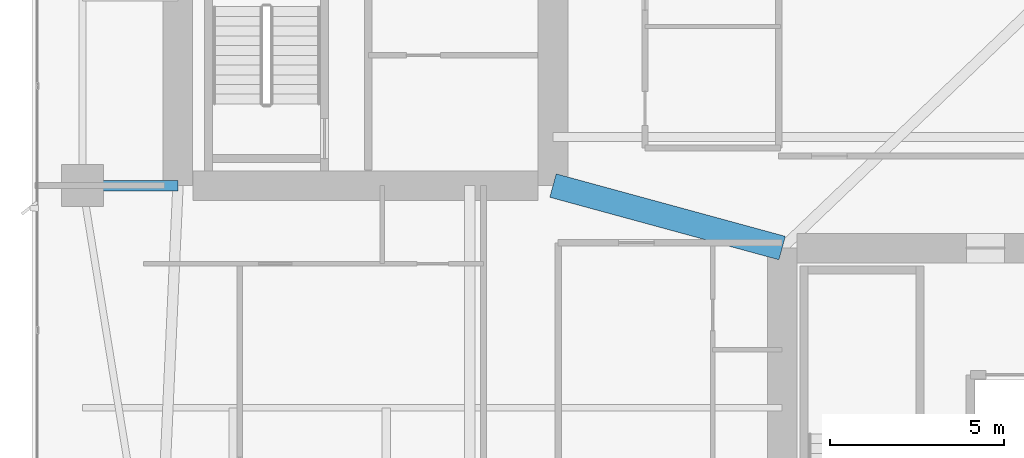
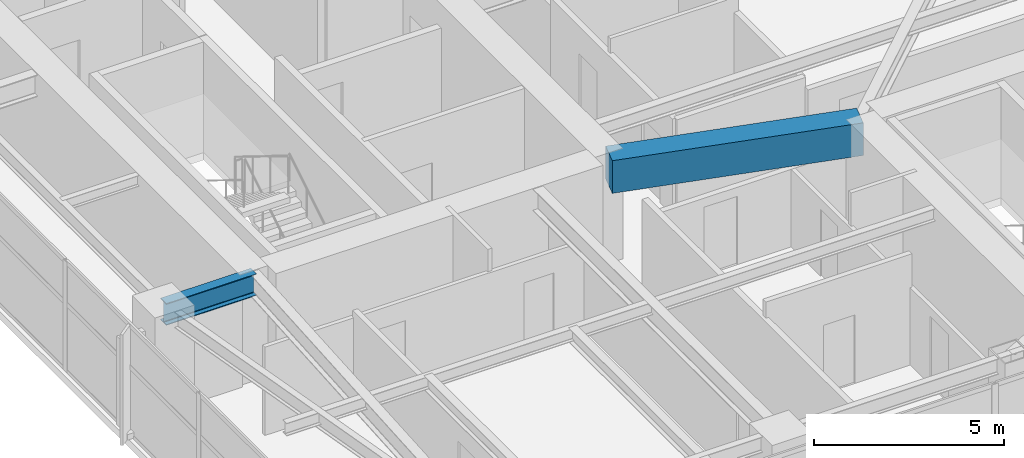
# One storey, part 7 of 28: 2 beams.
"""IFC4 building model written with IfcOpenShell, lengths in metres."""

from ifc_helpers import new_model, si_unit, direction, frame, origin, origin_2d, place, context, subcontext, project, spatial, rectangle, i_section, extrude, material, material_profile, profile_set, type_object, element, save


model = new_model("IFC4")

# Units and contexts
model_context = context("Model", 3, precision=1e-05, world=origin(), true_north=direction((0.0, 1.0)))
body_context = subcontext(model_context, "Body", "Model", "MODEL_VIEW")
ifc_project = project(units=[si_unit("LENGTHUNIT", "METRE"), si_unit("AREAUNIT", "SQUARE_METRE"), si_unit("VOLUMEUNIT", "CUBIC_METRE"), si_unit("PLANEANGLEUNIT", "RADIAN"), si_unit("MASSUNIT", "GRAM", prefix="KILO")], contexts=[model_context])

# Site, building, storey
site_placement = place(None, origin())
site = spatial("IfcSite", under=ifc_project, at=site_placement, CompositionType="ELEMENT")
building_placement = place(site_placement, origin())
building = spatial("IfcBuilding", under=site, at=building_placement, Name="Calvorn Quay Hotel", CompositionType="ELEMENT")
storey_placement = place(building_placement, frame((0.0, 0.0, 127.800048828125)))
storey = spatial("IfcBuildingStorey", under=building, at=storey_placement, Name="L31", CompositionType="ELEMENT", Elevation=127.800048828125)

# Beams
ifc_material_1 = material(Name="Steel Q390GJC", Category="steel")
ifc_material_profile_1 = material_profile(ifc_material_1, i_section(OverallWidth=0.300048828125, OverallDepth=0.699951171875, WebThickness=0.012939453125, FlangeThickness=0.02392578125, FilletRadius=0.02392578125, at=origin_2d()), Name="HN700x300x13x24")
ifc_profile_set_1 = profile_set([ifc_material_profile_1], Name="Steel Q390GJC")
beam_type_1 = type_object("IfcBeamType", Name="BM-GIRD-MAIN", PredefinedType="BEAM", material=ifc_profile_set_1)
beam_1_placement = place(storey_placement, frame((1.449951171875, 16.800048828125, 3.18994140625), z_axis=(1.0, 0.0, 0.0), x_axis=(0.0, 1.0, 0.0)))
element("IfcBeam", 1, at=beam_1_placement, inside=storey, type_object=beam_type_1, Name="Beam BG-L31-W1", PredefinedType="BEAM", context=body_context, shape_type="SweptSolid", body=[
    extrude(i_section(OverallWidth=0.300048828125, OverallDepth=0.699951171875, WebThickness=0.012939453125, FlangeThickness=0.02392578125, FilletRadius=0.02392578125, at=origin_2d()), origin(), (0.0, 0.0, 1.0), 2.75),
])
ifc_material_2 = material(Name="Concrete C50", Category="concrete")
ifc_material_profile_2 = material_profile(ifc_material_2, rectangle(XDim=0.699951171875, YDim=1.050048828125, at=origin_2d()), Name="RCB700x1050")
ifc_profile_set_2 = profile_set([ifc_material_profile_2], Name="Concrete C50")
beam_type_2 = type_object("IfcBeamType", Name="BM-RC-LINK-700x1050", PredefinedType="BEAM", material=ifc_profile_set_2)
beam_2_placement = place(storey_placement, frame((15.0, 16.800048828125, 3.014892578125), z_axis=(0.964762997686, -0.263120425462, 0.0), x_axis=(0.263120425462, 0.964762997686, 0.0)))
element("IfcBeam", 2, at=beam_2_placement, inside=storey, type_object=beam_type_2, Name="Beam BCL-L31-01", PredefinedType="BEAM", context=body_context, shape_type="SweptSolid", body=[
    extrude(rectangle(XDim=0.699951171875, YDim=1.050048828125, at=origin_2d()), origin(), (0.0, 0.0, 1.0), 6.841064453125),
])

save(model, "model.ifc")
